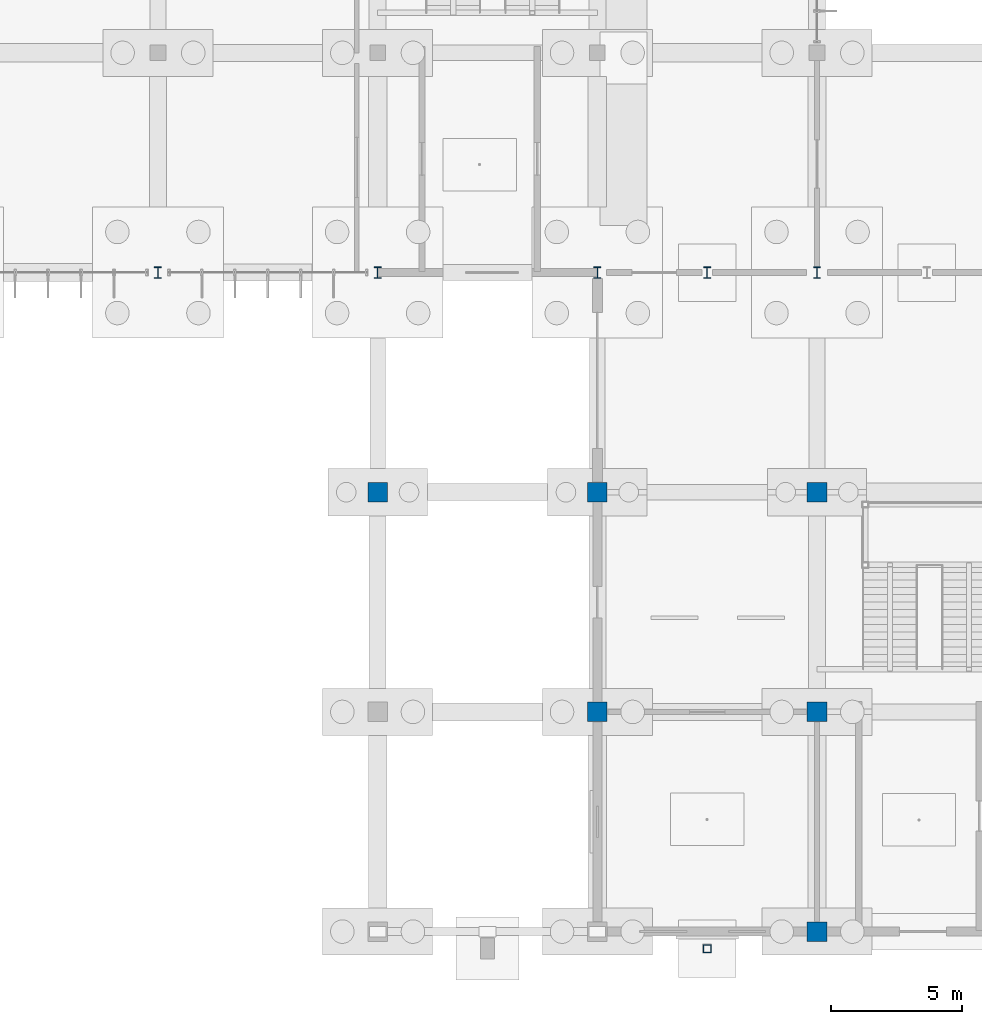
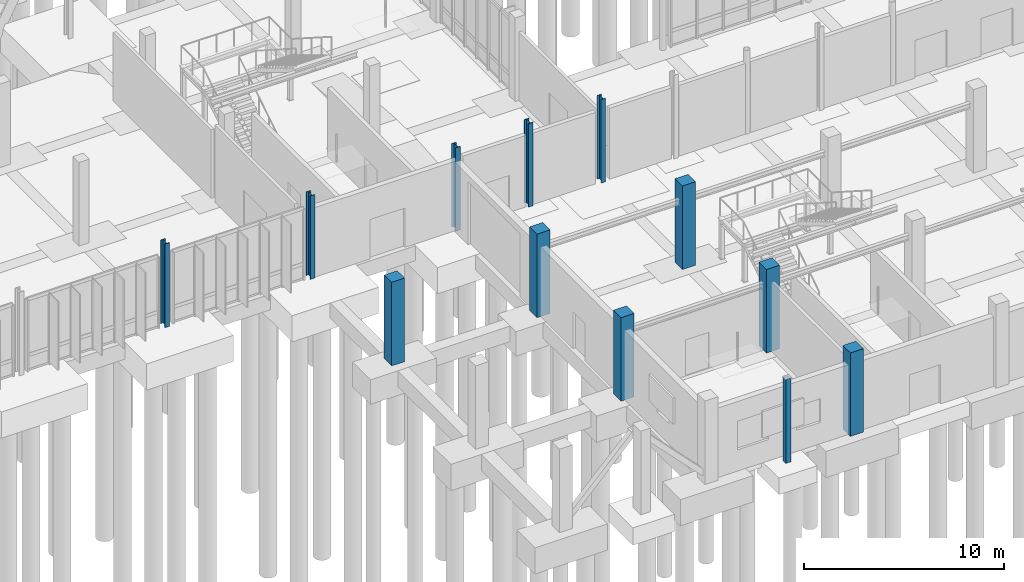
# One storey, part 10 of 119: 12 columns.
"""IFC4 building model written with IfcOpenShell, lengths in metres."""

from ifc_helpers import new_model, si_unit, derived_unit, direction, frame, origin, origin_2d, place, context, subcontext, project, spatial, rectangle, hollow_rectangle, i_section, extrude, material, material_profile, profile_set, type_object, element, save


model = new_model("IFC4")

# Units and contexts
model_context = context("Model", 3, precision=1e-05, world=origin(), true_north=direction((0.0, 1.0)))
body_context = subcontext(model_context, "Body", "Model", "MODEL_VIEW")
ifc_project = project(units=[si_unit("LENGTHUNIT", "METRE"), si_unit("AREAUNIT", "SQUARE_METRE"), si_unit("VOLUMEUNIT", "CUBIC_METRE"), si_unit("PLANEANGLEUNIT", "RADIAN"), si_unit("MASSUNIT", "GRAM", prefix="KILO"), derived_unit("THERMALTRANSMITTANCEUNIT", [(si_unit("MASSUNIT", "GRAM", prefix="KILO"), 1), (si_unit("TIMEUNIT", "SECOND"), -3), (si_unit("THERMODYNAMICTEMPERATUREUNIT", "KELVIN"), -1)])], contexts=[model_context])

# Site, building, storey
site_placement = place(None, origin())
site = spatial("IfcSite", under=ifc_project, at=site_placement, CompositionType="ELEMENT")
building_placement = place(site_placement, origin())
building = spatial("IfcBuilding", under=site, at=building_placement, Name="Makaiwela Harbour Ferry Terminal", CompositionType="ELEMENT")
storey_placement = place(building_placement, origin())
storey = spatial("IfcBuildingStorey", under=building, at=storey_placement, Name="L00", CompositionType="ELEMENT", Elevation=0.0)

# Columns
ifc_material_1 = material(Name="Concrete f'c 45 MPa (6500 psi)", Category="concrete")
ifc_material_profile_1 = material_profile(ifc_material_1, rectangle(XDim=0.75, YDim=0.75, at=origin_2d()), Name="RC-750X750")
ifc_profile_set_1 = profile_set([ifc_material_profile_1], Name="Concrete f'c 45 MPa (6500 psi)")
column_type_1 = type_object("IfcColumnType", Name="STR-COL-RC750", PredefinedType="COLUMN", material=ifc_profile_set_1)
for number, where, z_axis, x_axis, name in (
    (1, (54.60009765625, 16.800048828125, 0.0), (0.0, 0.0, 1.0), (1.0, 0.0, 0.0), "Structural Column C-08"),
    (2, (63.0, 8.39990234375, 0.0), (0.0, 0.0, 1.0), (1.0, 0.0, 0.0), "Structural Column C-08"),
    (3, (63.0, 16.800048828125, 0.0), (0.0, 0.0, 1.0), (1.0, 0.0, 0.0), "Structural Column C-08"),
    (4, (71.39990234375, 0.0, 0.0), (0.0, 0.0, 1.0), (1.0, 0.0, 0.0), "Structural Column C-08"),
    (5, (71.39990234375, 8.39990234375, 0.0), (0.0, 0.0, 1.0), (1.0, 0.0, 0.0), "Structural Column C-08"),
    (6, (71.39990234375, 16.800048828125, 0.0), (0.0, 0.0, 1.0), (1.0, 0.0, 0.0), "Structural Column C-08"),
):
    element("IfcColumn", number, at=place(storey_placement, frame(where, z_axis=z_axis, x_axis=x_axis)), inside=storey, type_object=column_type_1, Name=name, PredefinedType="COLUMN", context=body_context, shape_type="SweptSolid", body=[
        extrude(rectangle(XDim=0.75, YDim=0.75, at=origin_2d()), origin(), (0.0, 0.0, 1.0), 5.10009765625),
    ])
ifc_material_2 = material(Name="Steel ASTM A992 Grade 50", Category="steel")
ifc_material_profile_2 = material_profile(ifc_material_2, i_section(OverallWidth=0.264892578125, OverallDepth=0.430908203125, WebThickness=0.014892578125, FlangeThickness=0.02490234375, at=origin_2d()), Name="W16X100")
ifc_profile_set_2 = profile_set([ifc_material_profile_2], Name="Steel ASTM A992 Grade 50")
column_type_2 = type_object("IfcColumnType", Name="STR-COL-W16X100", PredefinedType="COLUMN", material=ifc_profile_set_2)
for number, where, z_axis, x_axis, name in (
    (7, (46.199951171875, 25.199951171875, 0.0), (0.0, 0.0, 1.0), (1.0, 0.0, 0.0), "Structural Column C-03"),
    (8, (54.60009765625, 25.199951171875, 0.0), (0.0, 0.0, 1.0), (1.0, 0.0, 0.0), "Structural Column C-03"),
    (9, (63.0, 25.199951171875, 0.0), (0.0, 0.0, 1.0), (1.0, 0.0, 0.0), "Structural Column C-03"),
    (10, (71.39990234375, 25.199951171875, 0.0), (0.0, 0.0, 1.0), (1.0, 0.0, 0.0), "Structural Column C-03"),
    (11, (67.199951171875, 25.199951171875, 0.0), (0.0, 0.0, 1.0), (1.0, 0.0, 0.0), "Structural Column C-03"),
):
    element("IfcColumn", number, at=place(storey_placement, frame(where, z_axis=z_axis, x_axis=x_axis)), inside=storey, type_object=column_type_2, Name=name, PredefinedType="COLUMN", context=body_context, shape_type="SweptSolid", body=[
        extrude(i_section(OverallWidth=0.264892578125, OverallDepth=0.430908203125, WebThickness=0.014892578125, FlangeThickness=0.02490234375, at=origin_2d()), origin(), (0.0, 0.0, 1.0), 5.10009765625),
    ])
ifc_material_3 = material(Name="Steel ASTM A500 Grade C", Category="steel")
ifc_material_profile_3 = material_profile(ifc_material_3, hollow_rectangle(XDim=0.304931640625, YDim=0.304931640625, WallThickness=0.0146484375, at=origin_2d()), Name="HSS12X12X5/8")
ifc_profile_set_3 = profile_set([ifc_material_profile_3], Name="Steel ASTM A500 Grade C")
column_type_3 = type_object("IfcColumnType", Name="STR-PIL-HSS12", PredefinedType="PILASTER", material=ifc_profile_set_3)
column_placement = place(storey_placement, frame((67.199951171875, -0.64990234375, 0.0), z_axis=(0.0, 0.0, 1.0), x_axis=(1.0, 0.0, 0.0)))
element("IfcColumn", 12, at=column_placement, inside=storey, type_object=column_type_3, Name="Structural Column PL-02", PredefinedType="PILASTER", context=body_context, shape_type="SweptSolid", body=[
    extrude(hollow_rectangle(XDim=0.304931640625, YDim=0.304931640625, WallThickness=0.0146484375, at=origin_2d()), origin(), (0.0, 0.0, 1.0), 5.10009765625),
])

save(model, "model.ifc")
